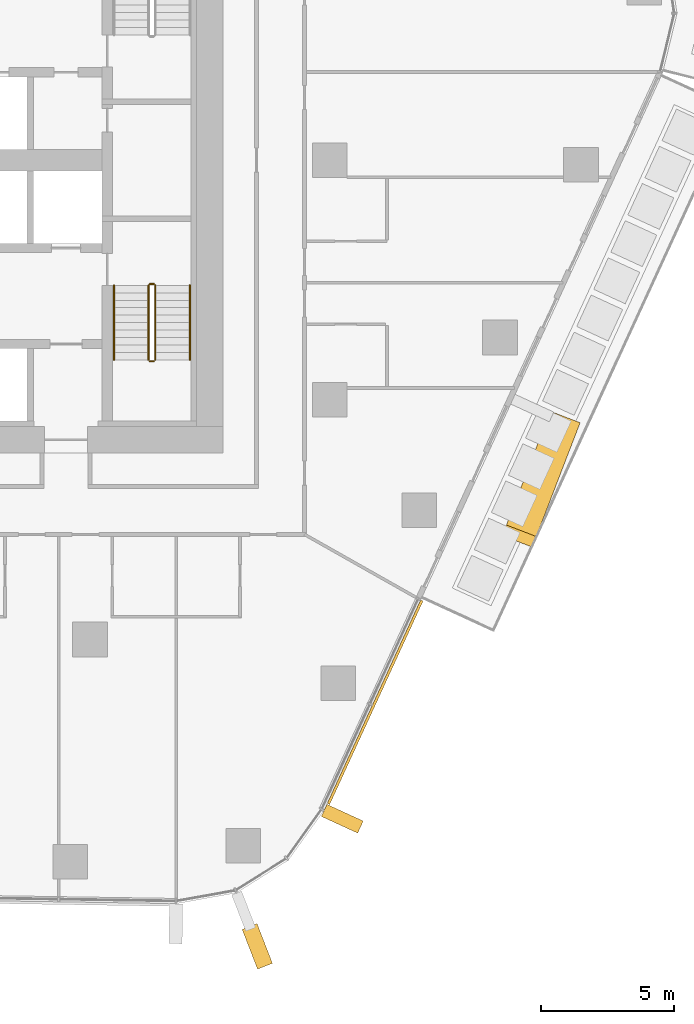
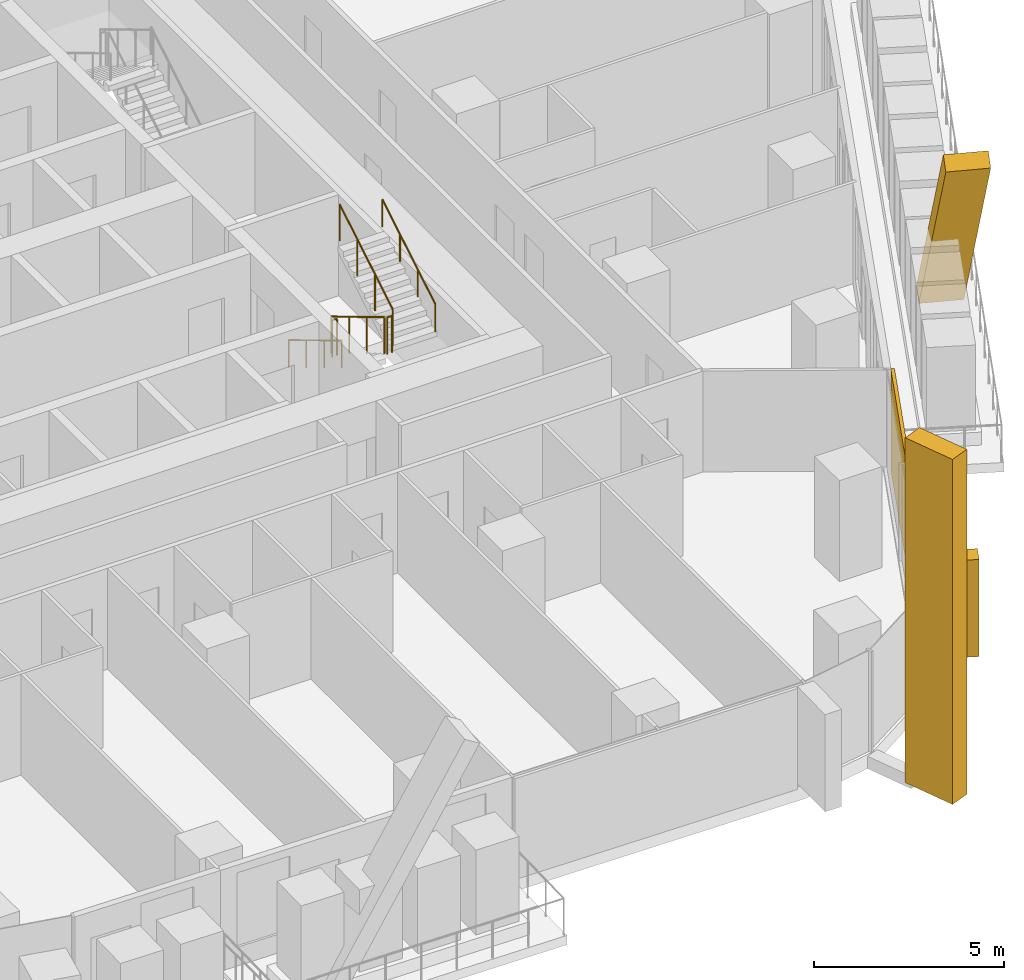
# One storey, part 22 of 26: 6 railings, 4 coverings, 2 elements without a shape of their own.
"""IFC4 building model written with IfcOpenShell, lengths in metres."""

import ifcopenshell
import ifcopenshell.guid

model = None  # the IFC model being written
_history = None  # IfcOwnerHistory: only IFC2X3 demands one
_inside = {}  # id of a spatial element -> (the spatial element, [elements in it])
_under = {}  # id of a project, library or spatial element -> (it, [spatial elements below it])
_declared = {}  # id of a project -> (the project, [libraries it declares])
_typed = {}  # id of a type object -> (the type object, [elements of that type])
_made_of = {}  # id of a material, layer set ... -> (it, [elements and type objects made of it])


def new_model(schema):
    """Start an empty IFC model of exactly this schema.

    Asked for "IFC4X3", IfcOpenShell would pick the latest addendum, in which some entities
    have other attributes; the version numbers below select the first issue.
    IFC2X3 requires an IfcOwnerHistory on every rooted entity: one is made here for all.
    """
    global model, _history
    if schema == "IFC4X3":
        model = ifcopenshell.file(schema_version=(4, 3, 0, 0))
    else:
        model = ifcopenshell.file(schema=schema)
    _inside.clear()
    _under.clear()
    _declared.clear()
    _typed.clear()
    _made_of.clear()
    _history = None
    if model.schema == "IFC2X3":
        org = make("IfcOrganization", Name="unknown")
        user = make(
            "IfcPersonAndOrganization",
            ThePerson=make("IfcPerson", FamilyName="unknown"),
            TheOrganization=org,
        )
        app = make(
            "IfcApplication",
            ApplicationDeveloper=org,
            Version="unknown",
            ApplicationFullName="unknown",
            ApplicationIdentifier="unknown",
        )
        _history = make(
            "IfcOwnerHistory",
            OwningUser=user,
            OwningApplication=app,
            ChangeAction="ADDED",
            CreationDate=0,
        )
    return model


def make(cls, **values):
    """One entity of the class cls with the attributes given. An attribute that is None is left unset."""
    return model.create_entity(
        cls, **{name: value for name, value in values.items() if value is not None}
    )


def rooted(cls, **values):
    """An entity with a GlobalId (a new one), such as an element, a storey or a relation."""
    return make(cls, GlobalId=ifcopenshell.guid.new(), OwnerHistory=_history, **values)


def si_unit(unit_type, name, prefix=None):
    """IfcSIUnit, for example si_unit("LENGTHUNIT", "METRE", prefix="MILLI")."""
    return make("IfcSIUnit", UnitType=unit_type, Prefix=prefix, Name=name)


def assignment(units):
    """IfcUnitAssignment: the units of a project."""
    return None if units is None else make("IfcUnitAssignment", Units=units)


def point(xyz):
    """IfcCartesianPoint."""
    return None if xyz is None else make("IfcCartesianPoint", Coordinates=xyz)


def direction(xyz):
    """IfcDirection."""
    return None if xyz is None else make("IfcDirection", DirectionRatios=xyz)


def frame(location, z_axis=None, x_axis=None):
    """IfcAxis2Placement3D, a coordinate frame: its origin and axes. An axis left out is left unset."""
    return make(
        "IfcAxis2Placement3D",
        Location=point(location),
        Axis=direction(z_axis),
        RefDirection=direction(x_axis),
    )


def frame_2d(location, x_axis=None):
    """IfcAxis2Placement2D, a coordinate frame in the plane: its origin and x axis."""
    return make(
        "IfcAxis2Placement2D", Location=point(location), RefDirection=direction(x_axis)
    )


def origin():
    """The frame at (0, 0, 0) with its axes left unset."""
    return frame((0.0, 0.0, 0.0))


def origin_2d():
    """The frame at (0, 0) in the plane with its x axis left unset."""
    return frame_2d((0.0, 0.0))


def place(relative_to, where):
    """IfcLocalPlacement: puts the frame where relative to a parent placement (None: the world)."""
    return make(
        "IfcLocalPlacement", PlacementRelTo=relative_to, RelativePlacement=where
    )


def context(
    kind, dimensions, precision=None, world=None, true_north=None, identifier=None
):
    """IfcGeometricRepresentationContext, for example the 3D "Model" context."""
    return make(
        "IfcGeometricRepresentationContext",
        ContextIdentifier=identifier,
        ContextType=kind,
        CoordinateSpaceDimension=dimensions,
        Precision=precision,
        WorldCoordinateSystem=world,
        TrueNorth=true_north,
    )


def subcontext(parent, identifier, kind, view, scale=None):
    """IfcGeometricRepresentationSubContext, for example "Body" below "Model"."""
    return make(
        "IfcGeometricRepresentationSubContext",
        ContextIdentifier=identifier,
        ContextType=kind,
        ParentContext=parent,
        TargetScale=scale,
        TargetView=view,
    )


def project(units=None, contexts=None):
    """IfcProject with its units and contexts."""
    return rooted(
        "IfcProject",
        Name="project",
        RepresentationContexts=contexts,
        UnitsInContext=assignment(units),
    )


def spatial(cls, under=None, at=None, **own):
    """A site, building, storey or space (cls), placed at a placement, below another one or the project."""
    s = rooted(cls, ObjectPlacement=at, **own)
    if under is not None:
        _under.setdefault(under.id(), (under, []))[1].append(s)
    return s


def profile(cls, at=None, kind="AREA", **sizes):
    """A parametric profile (cls). Its sizes go by their IFC names, for example OverallWidth=200.0."""
    return make(cls, ProfileType=kind, Position=at, **sizes)


def rectangle(**sizes):
    """IfcRectangleProfileDef."""
    return profile("IfcRectangleProfileDef", **sizes)


def circle(**sizes):
    """IfcCircleProfileDef."""
    return profile("IfcCircleProfileDef", **sizes)


def extrude(swept, where, along, depth):
    """IfcExtrudedAreaSolid: the profile swept, set in the frame where, extruded along a direction by depth."""
    return make(
        "IfcExtrudedAreaSolid",
        SweptArea=swept,
        Position=where,
        ExtrudedDirection=direction(along),
        Depth=depth,
    )


def shape(context_of_items, identifier, shape_type, items):
    """IfcShapeRepresentation: the items that make up one representation, for example the "Body"."""
    return make(
        "IfcShapeRepresentation",
        ContextOfItems=context_of_items,
        RepresentationIdentifier=identifier,
        RepresentationType=shape_type,
        Items=items,
    )


def material(Name=None, Category=None):
    """IfcMaterial."""
    return make("IfcMaterial", Name=Name, Category=Category)


def layer(
    of_material, thickness, ventilated=None, Name=None, Category=None, Priority=None
):
    """IfcMaterialLayer: one layer of a wall or slab, of a material (None: an air gap)."""
    return make(
        "IfcMaterialLayer",
        Material=of_material,
        LayerThickness=thickness,
        IsVentilated=ventilated,
        Name=Name,
        Category=Category,
        Priority=Priority,
    )


def layer_set(layers, Name=None):
    """IfcMaterialLayerSet."""
    return make("IfcMaterialLayerSet", MaterialLayers=layers, LayerSetName=Name)


def material_profile(
    of_material, cross_section, Name=None, Category=None, Priority=None
):
    """IfcMaterialProfile: a cross section and its material."""
    return make(
        "IfcMaterialProfile",
        Name=Name,
        Material=of_material,
        Profile=cross_section,
        Priority=Priority,
        Category=Category,
    )


def profile_set(profiles, Name=None, composite=None):
    """IfcMaterialProfileSet."""
    return make(
        "IfcMaterialProfileSet",
        Name=Name,
        MaterialProfiles=profiles,
        CompositeProfile=composite,
    )


def made_of(thing, what):
    """Note that an element or type object is made of a material, layer set ...; save() writes the relation."""
    if what is not None:
        _made_of.setdefault(what.id(), (what, []))[1].append(thing)
    return thing


def type_object(cls, material=None, **own):
    """A type object (cls), such as IfcWallType, which elements share."""
    return made_of(rooted(cls, **own), material)


def element(
    cls,
    number,
    at=None,
    inside=None,
    cuts=None,
    type_object=None,
    material=None,
    context=None,
    identifier="Body",
    shape_type=None,
    held_by="IfcProductDefinitionShape",
    body=None,
    shapes=None,
    **own,
):
    """One element of the class cls, such as IfcWall. Its Tag is "e" and its number.

    at: its placement. inside: the storey or other place that contains it. cuts: it is an
    opening in that element (IfcRelVoidsElement). A single representation is given by context,
    identifier, shape_type and body (its items); several are given by shapes. held_by: the class
    of the entity that holds the representations. save() writes the other relations.
    """
    e = rooted(cls, Tag="e%d" % number, ObjectPlacement=at, **own)
    if body is not None:
        shapes = [shape(context, identifier, shape_type, body)]
    if shapes is not None:
        e.Representation = make(held_by, Representations=shapes)
    if inside is not None:
        _inside.setdefault(inside.id(), (inside, []))[1].append(e)
    if cuts is not None:
        rooted(
            "IfcRelVoidsElement", RelatingBuildingElement=cuts, RelatedOpeningElement=e
        )
    if type_object is not None:
        _typed.setdefault(type_object.id(), (type_object, []))[1].append(e)
    return made_of(e, material)


def aggregate(whole, parts):
    """IfcRelAggregates: a whole, such as a stair, and the parts it consists of."""
    return rooted("IfcRelAggregates", RelatingObject=whole, RelatedObjects=parts)


def save(model, path):
    """Write the relations noted so far, then the file.

    IfcRelAggregates (storeys below a building ...), IfcRelContainedInSpatialStructure (elements
    in a storey), IfcRelDefinesByType, IfcRelAssociatesMaterial and IfcRelDeclares: one each for
    every whole, place, type object, material and project.
    """
    for whole, parts in _under.values():
        aggregate(whole, parts)
    for where, things in _inside.values():
        rooted(
            "IfcRelContainedInSpatialStructure",
            RelatedElements=things,
            RelatingStructure=where,
        )
    for kind, things in _typed.values():
        rooted("IfcRelDefinesByType", RelatedObjects=things, RelatingType=kind)
    for what, things in _made_of.values():
        rooted("IfcRelAssociatesMaterial", RelatedObjects=things, RelatingMaterial=what)
    for by, libraries in _declared.values():
        rooted("IfcRelDeclares", RelatingContext=by, RelatedDefinitions=libraries)
    model.write(path)


model = new_model("IFC4")

# Units and contexts
model_context = context("Model", 3, precision=1e-05, world=origin(), true_north=direction((0.0, 1.0)))
body_context = subcontext(model_context, "Body", "Model", "MODEL_VIEW")
ifc_project = project(units=[si_unit("LENGTHUNIT", "METRE"), si_unit("AREAUNIT", "SQUARE_METRE"), si_unit("VOLUMEUNIT", "CUBIC_METRE"), si_unit("PLANEANGLEUNIT", "RADIAN"), si_unit("MASSUNIT", "GRAM", prefix="KILO")], contexts=[model_context])

# Site, building, storey
site_placement = place(None, origin())
site = spatial("IfcSite", under=ifc_project, at=site_placement, CompositionType="ELEMENT")
building_placement = place(site_placement, origin())
building = spatial("IfcBuilding", under=site, at=building_placement, Name="Dongbaek Canopy Tower", CompositionType="ELEMENT")
storey_placement = place(building_placement, frame((0.0, 0.0, 95.199951171875)))
storey = spatial("IfcBuildingStorey", under=building, at=storey_placement, Name="L19", CompositionType="ELEMENT", Elevation=95.199951171875)

# Curtain wall, covering
ifc_material_1 = material(Name="Aluminium 6063-T6 pale anodised", Category="aluminium")
ifc_layer_1 = layer(ifc_material_1, 0.199951171875)
ifc_layer_set_1 = layer_set([ifc_layer_1], Name="CW-1 unitised tower curtain wall")
curtain_wall_type = type_object("IfcCurtainWallType", Name="CW-1 unitised tower curtain wall", PredefinedType="NOTDEFINED", material=ifc_layer_set_1)
curtain_wall_1_placement = place(storey_placement, origin())
curtain_wall_1 = element("IfcCurtainWall", 1, at=curtain_wall_1_placement, inside=storey, type_object=curtain_wall_type, Name="CW-1 curtain wall K5.1", PredefinedType="NOTDEFINED")
ifc_material_2 = material(Name="Aluminium 6063-T6 pale metal fin", Category="aluminium")
ifc_material_profile_1 = material_profile(ifc_material_2, rectangle(XDim=1.60009765625, YDim=0.60009765625, at=origin_2d()), Name="Corner fin CN1 600 x 1600 pale metal")
ifc_profile_set_1 = profile_set([ifc_material_profile_1], Name="Aluminium 6063-T6 pale metal fin")
covering_type_1 = type_object("IfcCoveringType", Name="Corner fin CN1 600 x 1600 pale metal", PredefinedType="CLADDING", material=ifc_profile_set_1)
covering_1_placement = place(storey_placement, frame((15.28076171875, -29.5205078125, -0.224853515625), z_axis=(0.0, 0.0, 1.0), x_axis=(0.361518798975, -0.932364820222, 0.0)))
covering_1 = element("IfcCovering", 2, at=covering_1_placement, type_object=covering_type_1, Name="Corner fin L19 L21 K5", PredefinedType="CLADDING", context=body_context, shape_type="SweptSolid", body=[
    extrude(rectangle(XDim=1.60009765625, YDim=0.60009765625, at=origin_2d()), origin(), (0.0, 0.0, 1.0), 11.10498046875),
])
aggregate(curtain_wall_1, [covering_1])

# Curtain wall, coverings
curtain_wall_2_placement = place(storey_placement, origin())
curtain_wall_2 = element("IfcCurtainWall", 3, at=curtain_wall_2_placement, inside=storey, type_object=curtain_wall_type, Name="CW-1 curtain wall F5.1", PredefinedType="NOTDEFINED")
ifc_material_3 = material(Name="Aluminium 6063-T6 pale metal fin", Category="aluminium")
ifc_material_profile_2 = material_profile(ifc_material_3, rectangle(XDim=1.199951171875, YDim=0.5, at=origin_2d()), Name="Crease fin CF1 500 x 1200 pale metal")
ifc_profile_set_2 = profile_set([ifc_material_profile_2], Name="Aluminium 6063-T6 pale metal fin")
covering_type_2 = type_object("IfcCoveringType", Name="Crease fin CF1 500 x 1200 pale metal", PredefinedType="CLADDING", material=ifc_profile_set_2)
covering_2_placement = place(storey_placement, frame((26.76708984375, -9.8408203125, -0.224853515625), z_axis=(-0.189171874631, -0.49106695737, 0.850333608196), x_axis=(0.933154489085, -0.359475589574, 0.0)))
covering_2 = element("IfcCovering", 4, at=covering_2_placement, type_object=covering_type_2, Name="Crease fin L19 L21 F5", PredefinedType="CLADDING", context=body_context, shape_type="SweptSolid", body=[
    extrude(rectangle(XDim=1.199951171875, YDim=0.5, at=origin_2d()), origin(), (0.0, 0.0, 1.0), 8.702392578125),
])
ifc_material_4 = material(Name="Perforated aluminium 6063-T6 pale metal screen", Category="aluminium")
ifc_layer_2 = layer(ifc_material_4, 0.10009765625)
ifc_layer_set_2 = layer_set([ifc_layer_2], Name="Facet screen FS1 100 pale metal")
covering_type_3 = type_object("IfcCoveringType", Name="Facet screen FS1 100 pale metal", PredefinedType="CLADDING", material=ifc_layer_set_2)
covering_3_placement = place(storey_placement, frame((19.7080078125, -20.35009765625, 0.0), z_axis=(0.0, 0.0, 1.0), x_axis=(0.417126438446, 0.908848466109, 0.0)))
covering_3 = element("IfcCovering", 5, at=covering_3_placement, type_object=covering_type_3, Name="Facet screen L19 F5", PredefinedType="CLADDING", context=body_context, shape_type="SweptSolid", body=[
    extrude(rectangle(XDim=8.408935546875, YDim=0.10009765625, at=origin_2d()), origin(), (0.0, 0.0, 1.0), 3.25),
])
ifc_material_5 = material(Name="Aluminium 6063-T6 pale metal fin", Category="aluminium")
ifc_material_profile_3 = material_profile(ifc_material_5, rectangle(XDim=1.5, YDim=0.5, at=origin_2d()), Name="Fin FN1 500 x 1500 pale metal")
ifc_profile_set_3 = profile_set([ifc_material_profile_3], Name="Aluminium 6063-T6 pale metal fin")
covering_type_4 = type_object("IfcCoveringType", Name="Fin FN1 500 x 1500 pale metal", PredefinedType="CLADDING", material=ifc_profile_set_3)
covering_4_placement = place(storey_placement, frame((18.47314453125, -24.728759765625, 0.1201171875), z_axis=(0.0, 0.0, 1.0), x_axis=(0.908848678728, -0.417125975185, 0.0)))
covering_4 = element("IfcCovering", 6, at=covering_4_placement, type_object=covering_type_4, Name="Fin F5.1.1", PredefinedType="CLADDING", context=body_context, shape_type="SweptSolid", body=[
    extrude(rectangle(XDim=1.5, YDim=0.5, at=origin_2d()), origin(), (0.0, 0.0, 1.0), 3.1298828125),
])
aggregate(curtain_wall_2, [covering_4, covering_2, covering_3])

# Railings
ifc_material_6 = material(Name="Stainless steel tube and balusters", Category="steel")
railing_type_1 = type_object("IfcRailingType", Name="Stair guard 1200", PredefinedType="GUARDRAIL", material=ifc_material_6)
railing_1_placement = place(storey_placement, frame((11.199951171875, -4.699951171875, 0.168212890625)))
element("IfcRailing", 7, at=railing_1_placement, inside=storey, type_object=railing_type_1, Name="L19 ST-B stair guard 1", PredefinedType="GUARDRAIL", context=body_context, shape_type="SweptSolid", body=[
    extrude(circle(Radius=0.02392578125, at=origin_2d()), frame((0.0, 0.0, 1.17578125), z_axis=(0.0, -0.857242210791, 0.514913383045), x_axis=(1.0, 0.0, 0.0)), (0.0, 0.0, 1.0), 3.266357421875),
    extrude(circle(Radius=0.02099609375, at=origin_2d()), origin(), (0.0, 0.0, 1.0), 1.15185546875),
    extrude(circle(Radius=0.02099609375, at=origin_2d()), frame((0.0, -0.933349609375, 0.560546875)), (0.0, 0.0, 1.0), 1.15185546875),
    extrude(circle(Radius=0.02099609375, at=origin_2d()), frame((0.0, -1.86669921875, 1.121337890625)), (0.0, 0.0, 1.0), 1.15185546875),
    extrude(circle(Radius=0.02099609375, at=origin_2d()), frame((0.0, -2.800048828125, 1.681884765625)), (0.0, 0.0, 1.0), 1.15185546875),
])
railing_2_placement = place(storey_placement, frame((11.25, -7.550048828125, 1.85009765625)))
element("IfcRailing", 8, at=railing_2_placement, inside=storey, type_object=railing_type_1, Name="L19 ST-B stair guard 2", PredefinedType="GUARDRAIL", context=body_context, shape_type="SweptSolid", body=[
    extrude(circle(Radius=0.02392578125, at=origin_2d()), frame((0.0, 0.0, 1.17578125), z_axis=(1.0, 0.0, 0.0), x_axis=(0.0, 1.0, 0.0)), (0.0, 0.0, 1.0), 0.14990234375),
    extrude(circle(Radius=0.02099609375, at=origin_2d()), origin(), (0.0, 0.0, 1.0), 1.15185546875),
    extrude(circle(Radius=0.02099609375, at=origin_2d()), frame((0.14990234375, 0.0, 0.0)), (0.0, 0.0, 1.0), 1.15185546875),
])
railing_3_placement = place(storey_placement, frame((11.449951171875, -7.5, 2.018310546875)))
element("IfcRailing", 9, at=railing_3_placement, inside=storey, type_object=railing_type_1, Name="L19 ST-B stair guard 3", PredefinedType="GUARDRAIL", context=body_context, shape_type="SweptSolid", body=[
    extrude(circle(Radius=0.02392578125, at=origin_2d()), frame((0.0, 0.0, 1.17578125), z_axis=(0.0, 0.857275202839, 0.514858452973), x_axis=(-1.0, 0.0, 0.0)), (0.0, 0.0, 1.0), 3.26611328125),
    extrude(circle(Radius=0.02099609375, at=origin_2d()), origin(), (0.0, 0.0, 1.0), 1.15185546875),
    extrude(circle(Radius=0.02099609375, at=origin_2d()), frame((0.0, 0.933349609375, 0.560546875)), (0.0, 0.0, 1.0), 1.15185546875),
    extrude(circle(Radius=0.02099609375, at=origin_2d()), frame((0.0, 1.86669921875, 1.12109375)), (0.0, 0.0, 1.0), 1.15185546875),
    extrude(circle(Radius=0.02099609375, at=origin_2d()), frame((0.0, 2.800048828125, 1.681640625)), (0.0, 0.0, 1.0), 1.15185546875),
])
railing_4_placement = place(storey_placement, frame((11.25, -4.64990234375, 0.0)))
element("IfcRailing", 10, at=railing_4_placement, inside=storey, type_object=railing_type_1, Name="L19 ST-B stair guard 4", PredefinedType="GUARDRAIL", context=body_context, shape_type="SweptSolid", body=[
    extrude(circle(Radius=0.02392578125, at=origin_2d()), frame((0.0, 0.0, 1.17578125), z_axis=(1.0, 0.0, 0.0), x_axis=(0.0, 1.0, 0.0)), (0.0, 0.0, 1.0), 0.14990234375),
    extrude(circle(Radius=0.02099609375, at=origin_2d()), origin(), (0.0, 0.0, 1.0), 1.15185546875),
    extrude(circle(Radius=0.02099609375, at=origin_2d()), frame((0.14990234375, 0.0, 0.0)), (0.0, 0.0, 1.0), 1.15185546875),
])
ifc_material_7 = material(Name="Stainless steel tube", Category="steel")
railing_type_2 = type_object("IfcRailingType", Name="Stair handrail 900", PredefinedType="HANDRAIL", material=ifc_material_7)
railing_5_placement = place(storey_placement, frame((9.89990234375, -4.699951171875, 0.168212890625)))
element("IfcRailing", 11, at=railing_5_placement, inside=storey, type_object=railing_type_2, Name="L19 ST-B stair handrail 1", PredefinedType="HANDRAIL", context=body_context, shape_type="SweptSolid", body=[
    extrude(circle(Radius=0.02392578125, at=origin_2d()), frame((0.0, 0.0, 0.8759765625), z_axis=(0.0, -0.857242210791, 0.514913383045), x_axis=(1.0, 0.0, 0.0)), (0.0, 0.0, 1.0), 3.266357421875),
    extrude(circle(Radius=0.02099609375, at=origin_2d()), origin(), (0.0, 0.0, 1.0), 0.851806640625),
    extrude(circle(Radius=0.02099609375, at=origin_2d()), frame((0.0, -0.933349609375, 0.560546875)), (0.0, 0.0, 1.0), 0.851806640625),
    extrude(circle(Radius=0.02099609375, at=origin_2d()), frame((0.0, -1.86669921875, 1.121337890625)), (0.0, 0.0, 1.0), 0.851806640625),
    extrude(circle(Radius=0.02099609375, at=origin_2d()), frame((0.0, -2.800048828125, 1.681884765625)), (0.0, 0.0, 1.0), 0.851806640625),
])
railing_6_placement = place(storey_placement, frame((12.75, -7.5, 2.018310546875)))
element("IfcRailing", 12, at=railing_6_placement, inside=storey, type_object=railing_type_2, Name="L19 ST-B stair handrail 2", PredefinedType="HANDRAIL", context=body_context, shape_type="SweptSolid", body=[
    extrude(circle(Radius=0.02392578125, at=origin_2d()), frame((0.0, 0.0, 0.8759765625), z_axis=(0.0, 0.857275202839, 0.514858452973), x_axis=(-1.0, 0.0, 0.0)), (0.0, 0.0, 1.0), 3.26611328125),
    extrude(circle(Radius=0.02099609375, at=origin_2d()), origin(), (0.0, 0.0, 1.0), 0.851806640625),
    extrude(circle(Radius=0.02099609375, at=origin_2d()), frame((0.0, 0.933349609375, 0.560546875)), (0.0, 0.0, 1.0), 0.851806640625),
    extrude(circle(Radius=0.02099609375, at=origin_2d()), frame((0.0, 1.86669921875, 1.12109375)), (0.0, 0.0, 1.0), 0.851806640625),
    extrude(circle(Radius=0.02099609375, at=origin_2d()), frame((0.0, 2.800048828125, 1.681640625)), (0.0, 0.0, 1.0), 0.851806640625),
])

save(model, "model.ifc")
